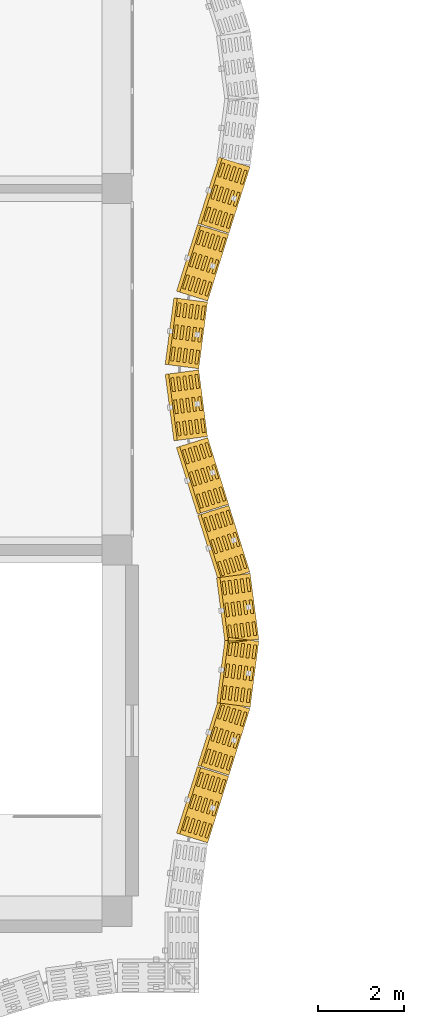
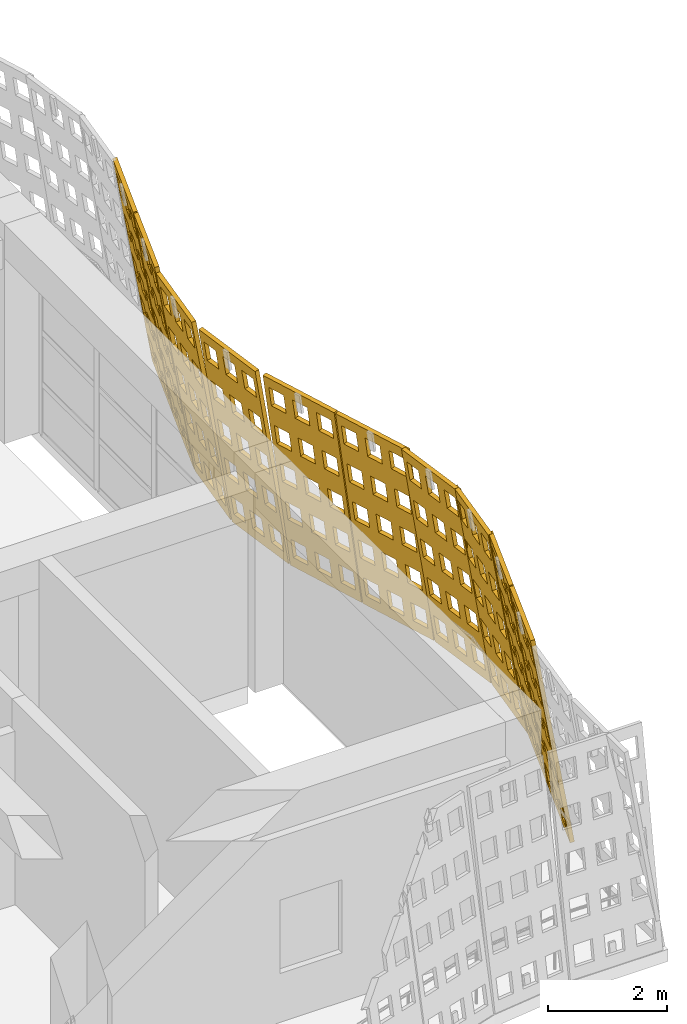
# One storey, part 77 of 85: 10 coverings.
"""IFC4 building model written with IfcOpenShell, lengths in metres."""

from ifc_helpers import new_model, si_unit, direction, frame, origin, place, context, subcontext, project, spatial, polyline, outline, extrude, material, layer, layer_set, type_object, element, save


model = new_model("IFC4")

# Units and contexts
model_context = context("Model", 3, precision=1e-05, world=origin(), true_north=direction((0.0, 1.0)))
body_context = subcontext(model_context, "Body", "Model", "MODEL_VIEW")
ifc_project = project(units=[si_unit("LENGTHUNIT", "METRE"), si_unit("AREAUNIT", "SQUARE_METRE"), si_unit("VOLUMEUNIT", "CUBIC_METRE"), si_unit("PLANEANGLEUNIT", "RADIAN"), si_unit("MASSUNIT", "GRAM", prefix="KILO")], contexts=[model_context])

# Site, building, storey
site_placement = place(None, origin())
site = spatial("IfcSite", under=ifc_project, at=site_placement, CompositionType="ELEMENT")
building_placement = place(site_placement, origin())
building = spatial("IfcBuilding", under=site, at=building_placement, Name="Rain Tree Exposition and Congress Centre", CompositionType="ELEMENT")
storey_placement = place(building_placement, frame((0.0, 0.0, 15.0)))
storey = spatial("IfcBuildingStorey", under=building, at=storey_placement, Name="L03", CompositionType="ELEMENT", Elevation=15.0)

# Coverings
ifc_material = material(Name="Perforated terracotta", Category="masonry")
ifc_layer = layer(ifc_material, 0.080078125)
ifc_layer_set = layer_set([ifc_layer], Name="Perforated terracotta")
covering_type = type_object("IfcCoveringType", Name="Terracotta screen 80", PredefinedType="CLADDING", material=ifc_layer_set)
covering_1_placement = place(storey_placement, frame((52.50341796875, 1.57568359375, 0.0126953125), z_axis=(-0.942029390639, 0.295717964052, -0.158529217842), x_axis=(-0.29950542383, -0.954094597562, 0.0)))
element("IfcCovering", 1, at=covering_1_placement, inside=storey, type_object=covering_type, Name="wing/screen/L03/036", PredefinedType="CLADDING", context=body_context, shape_type="SweptSolid", body=[
    extrude(outline(polyline([(-1.635986328125, 0.0), (-1.635986328125, 4.291259765625), (-0.014892578125, 4.291259765625), (-0.014892578125, 0.0), (-1.635986328125, 0.0)]), holes=[polyline([(-0.11767578125, 0.221435546875), (-0.11767578125, 0.63671875), (-0.45263671875, 0.63671875), (-0.45263671875, 0.221435546875), (-0.11767578125, 0.221435546875)]), polyline([(-0.11767578125, 1.07958984375), (-0.11767578125, 1.4951171875), (-0.45263671875, 1.4951171875), (-0.45263671875, 1.07958984375), (-0.11767578125, 1.07958984375)]), polyline([(-0.11767578125, 1.93798828125), (-0.11767578125, 2.353271484375), (-0.45263671875, 2.353271484375), (-0.45263671875, 1.93798828125), (-0.11767578125, 1.93798828125)]), polyline([(-0.11767578125, 2.796142578125), (-0.11767578125, 3.21142578125), (-0.45263671875, 3.21142578125), (-0.45263671875, 2.796142578125), (-0.11767578125, 2.796142578125)]), polyline([(-0.11767578125, 3.654541015625), (-0.11767578125, 4.06982421875), (-0.45263671875, 4.06982421875), (-0.45263671875, 3.654541015625), (-0.11767578125, 3.654541015625)]), polyline([(-0.657958984375, 0.221435546875), (-0.657958984375, 0.63671875), (-0.992919921875, 0.63671875), (-0.992919921875, 0.221435546875), (-0.657958984375, 0.221435546875)]), polyline([(-0.657958984375, 1.07958984375), (-0.657958984375, 1.4951171875), (-0.992919921875, 1.4951171875), (-0.992919921875, 1.07958984375), (-0.657958984375, 1.07958984375)]), polyline([(-0.657958984375, 1.93798828125), (-0.657958984375, 2.353271484375), (-0.992919921875, 2.353271484375), (-0.992919921875, 1.93798828125), (-0.657958984375, 1.93798828125)]), polyline([(-0.657958984375, 2.796142578125), (-0.657958984375, 3.21142578125), (-0.992919921875, 3.21142578125), (-0.992919921875, 2.796142578125), (-0.657958984375, 2.796142578125)]), polyline([(-0.657958984375, 3.654541015625), (-0.657958984375, 4.06982421875), (-0.992919921875, 4.06982421875), (-0.992919921875, 3.654541015625), (-0.657958984375, 3.654541015625)]), polyline([(-1.1982421875, 0.221435546875), (-1.1982421875, 0.63671875), (-1.533203125, 0.63671875), (-1.533203125, 0.221435546875), (-1.1982421875, 0.221435546875)]), polyline([(-1.1982421875, 1.07958984375), (-1.1982421875, 1.4951171875), (-1.533203125, 1.4951171875), (-1.533203125, 1.07958984375), (-1.1982421875, 1.07958984375)]), polyline([(-1.1982421875, 1.93798828125), (-1.1982421875, 2.353271484375), (-1.533203125, 2.353271484375), (-1.533203125, 1.93798828125), (-1.1982421875, 1.93798828125)]), polyline([(-1.1982421875, 2.796142578125), (-1.1982421875, 3.21142578125), (-1.533203125, 3.21142578125), (-1.533203125, 2.796142578125), (-1.1982421875, 2.796142578125)]), polyline([(-1.1982421875, 3.654541015625), (-1.1982421875, 4.06982421875), (-1.533203125, 4.06982421875), (-1.533203125, 3.654541015625), (-1.1982421875, 3.654541015625)])]), origin(), (0.0, 0.0, 1.0), 0.080078125),
])
covering_2_placement = place(storey_placement, frame((52.998291015625, 3.150634765625, 0.0126953125), z_axis=(-0.941684688936, 0.296569528658, -0.158985726703), x_axis=(-0.300390227601, -0.953816392794, 0.0)))
element("IfcCovering", 2, at=covering_2_placement, inside=storey, type_object=covering_type, Name="wing/screen/L03/037", PredefinedType="CLADDING", context=body_context, shape_type="SweptSolid", body=[
    extrude(outline(polyline([(-1.62890625, 0.0), (-1.62890625, 4.291259765625), (-0.014892578125, 4.291259765625), (-0.014892578125, 0.0), (-1.62890625, 0.0)]), holes=[polyline([(-0.1171875, 0.221435546875), (-0.1171875, 0.63671875), (-0.45068359375, 0.63671875), (-0.45068359375, 0.221435546875), (-0.1171875, 0.221435546875)]), polyline([(-0.1171875, 1.07958984375), (-0.1171875, 1.4951171875), (-0.45068359375, 1.4951171875), (-0.45068359375, 1.07958984375), (-0.1171875, 1.07958984375)]), polyline([(-0.1171875, 1.93798828125), (-0.1171875, 2.353271484375), (-0.45068359375, 2.353271484375), (-0.45068359375, 1.93798828125), (-0.1171875, 1.93798828125)]), polyline([(-0.1171875, 2.796142578125), (-0.1171875, 3.21142578125), (-0.45068359375, 3.21142578125), (-0.45068359375, 2.796142578125), (-0.1171875, 2.796142578125)]), polyline([(-0.1171875, 3.654541015625), (-0.1171875, 4.06982421875), (-0.45068359375, 4.06982421875), (-0.45068359375, 3.654541015625), (-0.1171875, 3.654541015625)]), polyline([(-0.6552734375, 0.221435546875), (-0.6552734375, 0.63671875), (-0.98876953125, 0.63671875), (-0.98876953125, 0.221435546875), (-0.6552734375, 0.221435546875)]), polyline([(-0.6552734375, 1.07958984375), (-0.6552734375, 1.4951171875), (-0.98876953125, 1.4951171875), (-0.98876953125, 1.07958984375), (-0.6552734375, 1.07958984375)]), polyline([(-0.6552734375, 1.93798828125), (-0.6552734375, 2.353271484375), (-0.98876953125, 2.353271484375), (-0.98876953125, 1.93798828125), (-0.6552734375, 1.93798828125)]), polyline([(-0.6552734375, 2.796142578125), (-0.6552734375, 3.21142578125), (-0.98876953125, 3.21142578125), (-0.98876953125, 2.796142578125), (-0.6552734375, 2.796142578125)]), polyline([(-0.6552734375, 3.654541015625), (-0.6552734375, 4.06982421875), (-0.98876953125, 4.06982421875), (-0.98876953125, 3.654541015625), (-0.6552734375, 3.654541015625)]), polyline([(-1.193115234375, 0.221435546875), (-1.193115234375, 0.63671875), (-1.526611328125, 0.63671875), (-1.526611328125, 0.221435546875), (-1.193115234375, 0.221435546875)]), polyline([(-1.193115234375, 1.07958984375), (-1.193115234375, 1.4951171875), (-1.526611328125, 1.4951171875), (-1.526611328125, 1.07958984375), (-1.193115234375, 1.07958984375)]), polyline([(-1.193115234375, 1.93798828125), (-1.193115234375, 2.353271484375), (-1.526611328125, 2.353271484375), (-1.526611328125, 1.93798828125), (-1.193115234375, 1.93798828125)]), polyline([(-1.193115234375, 2.796142578125), (-1.193115234375, 3.21142578125), (-1.526611328125, 3.21142578125), (-1.526611328125, 2.796142578125), (-1.193115234375, 2.796142578125)]), polyline([(-1.193115234375, 3.654541015625), (-1.193115234375, 4.06982421875), (-1.526611328125, 4.06982421875), (-1.526611328125, 3.654541015625), (-1.193115234375, 3.654541015625)])]), origin(), (0.0, 0.0, 1.0), 0.079833984375),
])
covering_3_placement = place(storey_placement, frame((53.4931640625, 4.725341796875, 0.01318359375), z_axis=(-0.978036007662, 0.127967328105, -0.16452942185), x_axis=(-0.129735338481, -0.991548658387, 0.0)))
element("IfcCovering", 3, at=covering_3_placement, inside=storey, type_object=covering_type, Name="wing/screen/L03/038", PredefinedType="CLADDING", context=body_context, shape_type="SweptSolid", body=[
    extrude(outline(polyline([(-1.56298828125, 0.0), (-1.56298828125, 4.295166015625), (-0.02197265625, 4.295166015625), (-0.02197265625, 0.0), (-1.56298828125, 0.0)]), holes=[polyline([(-0.11962890625, 0.2216796875), (-0.11962890625, 0.63720703125), (-0.43798828125, 0.63720703125), (-0.43798828125, 0.2216796875), (-0.11962890625, 0.2216796875)]), polyline([(-0.11962890625, 1.080810546875), (-0.11962890625, 1.496337890625), (-0.43798828125, 1.496337890625), (-0.43798828125, 1.080810546875), (-0.11962890625, 1.080810546875)]), polyline([(-0.11962890625, 1.939697265625), (-0.11962890625, 2.35546875), (-0.43798828125, 2.35546875), (-0.43798828125, 1.939697265625), (-0.11962890625, 1.939697265625)]), polyline([(-0.11962890625, 2.798583984375), (-0.11962890625, 3.21435546875), (-0.43798828125, 3.21435546875), (-0.43798828125, 2.798583984375), (-0.11962890625, 2.798583984375)]), polyline([(-0.11962890625, 3.65771484375), (-0.11962890625, 4.073486328125), (-0.43798828125, 4.073486328125), (-0.43798828125, 3.65771484375), (-0.11962890625, 3.65771484375)]), polyline([(-0.63330078125, 0.2216796875), (-0.63330078125, 0.63720703125), (-0.95166015625, 0.63720703125), (-0.95166015625, 0.2216796875), (-0.63330078125, 0.2216796875)]), polyline([(-0.63330078125, 1.080810546875), (-0.63330078125, 1.496337890625), (-0.95166015625, 1.496337890625), (-0.95166015625, 1.080810546875), (-0.63330078125, 1.080810546875)]), polyline([(-0.63330078125, 1.939697265625), (-0.63330078125, 2.35546875), (-0.95166015625, 2.35546875), (-0.95166015625, 1.939697265625), (-0.63330078125, 1.939697265625)]), polyline([(-0.63330078125, 2.798583984375), (-0.63330078125, 3.21435546875), (-0.95166015625, 3.21435546875), (-0.95166015625, 2.798583984375), (-0.63330078125, 2.798583984375)]), polyline([(-0.63330078125, 3.65771484375), (-0.63330078125, 4.073486328125), (-0.95166015625, 4.073486328125), (-0.95166015625, 3.65771484375), (-0.63330078125, 3.65771484375)]), polyline([(-1.146728515625, 0.2216796875), (-1.146728515625, 0.63720703125), (-1.46533203125, 0.63720703125), (-1.46533203125, 0.2216796875), (-1.146728515625, 0.2216796875)]), polyline([(-1.146728515625, 1.080810546875), (-1.146728515625, 1.496337890625), (-1.46533203125, 1.496337890625), (-1.46533203125, 1.080810546875), (-1.146728515625, 1.080810546875)]), polyline([(-1.146728515625, 1.939697265625), (-1.146728515625, 2.35546875), (-1.46533203125, 2.35546875), (-1.46533203125, 1.939697265625), (-1.146728515625, 1.939697265625)]), polyline([(-1.146728515625, 2.798583984375), (-1.146728515625, 3.21435546875), (-1.46533203125, 3.21435546875), (-1.46533203125, 2.798583984375), (-1.146728515625, 2.798583984375)]), polyline([(-1.146728515625, 3.65771484375), (-1.146728515625, 4.073486328125), (-1.46533203125, 4.073486328125), (-1.46533203125, 3.65771484375), (-1.146728515625, 3.65771484375)])]), origin(), (0.0, 0.0, 1.0), 0.080078125),
])
covering_4_placement = place(storey_placement, frame((53.697998046875, 6.2998046875, 0.01318359375), z_axis=(-0.9779030419, -0.128349774249, -0.165021138321), x_axis=(0.130133906157, -0.991496427865, 0.0)))
element("IfcCovering", 4, at=covering_4_placement, inside=storey, type_object=covering_type, Name="wing/screen/L03/039", PredefinedType="CLADDING", context=body_context, shape_type="SweptSolid", body=[
    extrude(outline(polyline([(-1.56640625, 0.0), (-1.56640625, 4.295166015625), (-0.025390625, 4.295166015625), (-0.025390625, 0.0), (-1.56640625, 0.0)]), holes=[polyline([(-0.123046875, 0.2216796875), (-0.123046875, 0.63720703125), (-0.44140625, 0.63720703125), (-0.44140625, 0.2216796875), (-0.123046875, 0.2216796875)]), polyline([(-0.123046875, 1.080810546875), (-0.123046875, 1.496337890625), (-0.44140625, 1.496337890625), (-0.44140625, 1.080810546875), (-0.123046875, 1.080810546875)]), polyline([(-0.123046875, 1.939697265625), (-0.123046875, 2.35546875), (-0.44140625, 2.35546875), (-0.44140625, 1.939697265625), (-0.123046875, 1.939697265625)]), polyline([(-0.123046875, 2.798583984375), (-0.123046875, 3.21435546875), (-0.44140625, 3.21435546875), (-0.44140625, 2.798583984375), (-0.123046875, 2.798583984375)]), polyline([(-0.123046875, 3.65771484375), (-0.123046875, 4.073486328125), (-0.44140625, 4.073486328125), (-0.44140625, 3.65771484375), (-0.123046875, 3.65771484375)]), polyline([(-0.63671875, 0.2216796875), (-0.63671875, 0.63720703125), (-0.955078125, 0.63720703125), (-0.955078125, 0.2216796875), (-0.63671875, 0.2216796875)]), polyline([(-0.63671875, 1.080810546875), (-0.63671875, 1.496337890625), (-0.955078125, 1.496337890625), (-0.955078125, 1.080810546875), (-0.63671875, 1.080810546875)]), polyline([(-0.63671875, 1.939697265625), (-0.63671875, 2.35546875), (-0.955078125, 2.35546875), (-0.955078125, 1.939697265625), (-0.63671875, 1.939697265625)]), polyline([(-0.63671875, 2.798583984375), (-0.63671875, 3.21435546875), (-0.955078125, 3.21435546875), (-0.955078125, 2.798583984375), (-0.63671875, 2.798583984375)]), polyline([(-0.63671875, 3.65771484375), (-0.63671875, 4.073486328125), (-0.955078125, 4.073486328125), (-0.955078125, 3.65771484375), (-0.63671875, 3.65771484375)]), polyline([(-1.150146484375, 0.2216796875), (-1.150146484375, 0.63720703125), (-1.46875, 0.63720703125), (-1.46875, 0.2216796875), (-1.150146484375, 0.2216796875)]), polyline([(-1.150146484375, 1.080810546875), (-1.150146484375, 1.496337890625), (-1.46875, 1.496337890625), (-1.46875, 1.080810546875), (-1.150146484375, 1.080810546875)]), polyline([(-1.150146484375, 1.939697265625), (-1.150146484375, 2.35546875), (-1.46875, 2.35546875), (-1.46875, 1.939697265625), (-1.150146484375, 1.939697265625)]), polyline([(-1.150146484375, 2.798583984375), (-1.150146484375, 3.21435546875), (-1.46875, 3.21435546875), (-1.46875, 2.798583984375), (-1.150146484375, 2.798583984375)]), polyline([(-1.150146484375, 3.65771484375), (-1.150146484375, 4.073486328125), (-1.46875, 4.073486328125), (-1.46875, 3.65771484375), (-1.150146484375, 3.65771484375)])]), origin(), (0.0, 0.0, 1.0), 0.079833984375),
])
covering_5_placement = place(storey_placement, frame((53.493408203125, 7.87451171875, 0.0126953125), z_axis=(-0.941176896939, -0.298496232686, -0.158385756119), x_axis=(0.302312226207, -0.953208958144, 0.0)))
element("IfcCovering", 5, at=covering_5_placement, inside=storey, type_object=covering_type, Name="wing/screen/L03/040", PredefinedType="CLADDING", context=body_context, shape_type="SweptSolid", body=[
    extrude(outline(polyline([(-1.635986328125, 0.0), (-1.635986328125, 4.291259765625), (-0.02197265625, 4.291259765625), (-0.02197265625, 0.0), (-1.635986328125, 0.0)]), holes=[polyline([(-0.124267578125, 0.221435546875), (-0.124267578125, 0.63671875), (-0.457763671875, 0.63671875), (-0.457763671875, 0.221435546875), (-0.124267578125, 0.221435546875)]), polyline([(-0.124267578125, 1.07958984375), (-0.124267578125, 1.4951171875), (-0.457763671875, 1.4951171875), (-0.457763671875, 1.07958984375), (-0.124267578125, 1.07958984375)]), polyline([(-0.124267578125, 1.93798828125), (-0.124267578125, 2.353271484375), (-0.457763671875, 2.353271484375), (-0.457763671875, 1.93798828125), (-0.124267578125, 1.93798828125)]), polyline([(-0.124267578125, 2.796142578125), (-0.124267578125, 3.21142578125), (-0.457763671875, 3.21142578125), (-0.457763671875, 2.796142578125), (-0.124267578125, 2.796142578125)]), polyline([(-0.124267578125, 3.654541015625), (-0.124267578125, 4.06982421875), (-0.457763671875, 4.06982421875), (-0.457763671875, 3.654541015625), (-0.124267578125, 3.654541015625)]), polyline([(-0.662109375, 0.221435546875), (-0.662109375, 0.63671875), (-0.995849609375, 0.63671875), (-0.995849609375, 0.221435546875), (-0.662109375, 0.221435546875)]), polyline([(-0.662109375, 1.07958984375), (-0.662109375, 1.4951171875), (-0.995849609375, 1.4951171875), (-0.995849609375, 1.07958984375), (-0.662109375, 1.07958984375)]), polyline([(-0.662109375, 1.93798828125), (-0.662109375, 2.353271484375), (-0.995849609375, 2.353271484375), (-0.995849609375, 1.93798828125), (-0.662109375, 1.93798828125)]), polyline([(-0.662109375, 2.796142578125), (-0.662109375, 3.21142578125), (-0.995849609375, 3.21142578125), (-0.995849609375, 2.796142578125), (-0.662109375, 2.796142578125)]), polyline([(-0.662109375, 3.654541015625), (-0.662109375, 4.06982421875), (-0.995849609375, 4.06982421875), (-0.995849609375, 3.654541015625), (-0.662109375, 3.654541015625)]), polyline([(-1.2001953125, 0.221435546875), (-1.2001953125, 0.63671875), (-1.53369140625, 0.63671875), (-1.53369140625, 0.221435546875), (-1.2001953125, 0.221435546875)]), polyline([(-1.2001953125, 1.07958984375), (-1.2001953125, 1.4951171875), (-1.53369140625, 1.4951171875), (-1.53369140625, 1.07958984375), (-1.2001953125, 1.07958984375)]), polyline([(-1.2001953125, 1.93798828125), (-1.2001953125, 2.353271484375), (-1.53369140625, 2.353271484375), (-1.53369140625, 1.93798828125), (-1.2001953125, 1.93798828125)]), polyline([(-1.2001953125, 2.796142578125), (-1.2001953125, 3.21142578125), (-1.53369140625, 3.21142578125), (-1.53369140625, 2.796142578125), (-1.2001953125, 2.796142578125)]), polyline([(-1.2001953125, 3.654541015625), (-1.2001953125, 4.06982421875), (-1.53369140625, 4.06982421875), (-1.53369140625, 3.654541015625), (-1.2001953125, 3.654541015625)])]), origin(), (0.0, 0.0, 1.0), 0.080078125),
])
covering_6_placement = place(storey_placement, frame((52.998291015625, 9.449462890625, 0.0126953125), z_axis=(-0.941684688936, -0.296569528658, -0.158985726703), x_axis=(0.300390227601, -0.953816392794, 0.0)))
element("IfcCovering", 6, at=covering_6_placement, inside=storey, type_object=covering_type, Name="wing/screen/L03/041", PredefinedType="CLADDING", context=body_context, shape_type="SweptSolid", body=[
    extrude(outline(polyline([(-1.635986328125, 0.0), (-1.635986328125, 4.291259765625), (-0.014892578125, 4.291259765625), (-0.014892578125, 0.0), (-1.635986328125, 0.0)]), holes=[polyline([(-0.11767578125, 0.221435546875), (-0.11767578125, 0.63671875), (-0.45263671875, 0.63671875), (-0.45263671875, 0.221435546875), (-0.11767578125, 0.221435546875)]), polyline([(-0.11767578125, 1.07958984375), (-0.11767578125, 1.4951171875), (-0.45263671875, 1.4951171875), (-0.45263671875, 1.07958984375), (-0.11767578125, 1.07958984375)]), polyline([(-0.11767578125, 1.93798828125), (-0.11767578125, 2.353271484375), (-0.45263671875, 2.353271484375), (-0.45263671875, 1.93798828125), (-0.11767578125, 1.93798828125)]), polyline([(-0.11767578125, 2.796142578125), (-0.11767578125, 3.21142578125), (-0.45263671875, 3.21142578125), (-0.45263671875, 2.796142578125), (-0.11767578125, 2.796142578125)]), polyline([(-0.11767578125, 3.654541015625), (-0.11767578125, 4.06982421875), (-0.45263671875, 4.06982421875), (-0.45263671875, 3.654541015625), (-0.11767578125, 3.654541015625)]), polyline([(-0.657958984375, 0.221435546875), (-0.657958984375, 0.63671875), (-0.992919921875, 0.63671875), (-0.992919921875, 0.221435546875), (-0.657958984375, 0.221435546875)]), polyline([(-0.657958984375, 1.07958984375), (-0.657958984375, 1.4951171875), (-0.992919921875, 1.4951171875), (-0.992919921875, 1.07958984375), (-0.657958984375, 1.07958984375)]), polyline([(-0.657958984375, 1.93798828125), (-0.657958984375, 2.353271484375), (-0.992919921875, 2.353271484375), (-0.992919921875, 1.93798828125), (-0.657958984375, 1.93798828125)]), polyline([(-0.657958984375, 2.796142578125), (-0.657958984375, 3.21142578125), (-0.992919921875, 3.21142578125), (-0.992919921875, 2.796142578125), (-0.657958984375, 2.796142578125)]), polyline([(-0.657958984375, 3.654541015625), (-0.657958984375, 4.06982421875), (-0.992919921875, 4.06982421875), (-0.992919921875, 3.654541015625), (-0.657958984375, 3.654541015625)]), polyline([(-1.1982421875, 0.221435546875), (-1.1982421875, 0.63671875), (-1.533203125, 0.63671875), (-1.533203125, 0.221435546875), (-1.1982421875, 0.221435546875)]), polyline([(-1.1982421875, 1.07958984375), (-1.1982421875, 1.4951171875), (-1.533203125, 1.4951171875), (-1.533203125, 1.07958984375), (-1.1982421875, 1.07958984375)]), polyline([(-1.1982421875, 1.93798828125), (-1.1982421875, 2.353271484375), (-1.533203125, 2.353271484375), (-1.533203125, 1.93798828125), (-1.1982421875, 1.93798828125)]), polyline([(-1.1982421875, 2.796142578125), (-1.1982421875, 3.21142578125), (-1.533203125, 3.21142578125), (-1.533203125, 2.796142578125), (-1.1982421875, 2.796142578125)]), polyline([(-1.1982421875, 3.654541015625), (-1.1982421875, 4.06982421875), (-1.533203125, 4.06982421875), (-1.533203125, 3.654541015625), (-1.1982421875, 3.654541015625)])]), origin(), (0.0, 0.0, 1.0), 0.079833984375),
])
covering_7_placement = place(storey_placement, frame((52.503173828125, 11.024658203125, 0.01318359375), z_axis=(-0.978036007662, -0.127967328105, -0.16452942185), x_axis=(0.129735338481, -0.991548658387, 0.0)))
element("IfcCovering", 7, at=covering_7_placement, inside=storey, type_object=covering_type, Name="wing/screen/L03/042", PredefinedType="CLADDING", context=body_context, shape_type="SweptSolid", body=[
    extrude(outline(polyline([(-1.5732421875, 0.0), (-1.5732421875, 4.295166015625), (-0.014892578125, 4.295166015625), (-0.014892578125, 0.0), (-1.5732421875, 0.0)]), holes=[polyline([(-0.11376953125, 0.2216796875), (-0.11376953125, 0.63720703125), (-0.435791015625, 0.63720703125), (-0.435791015625, 0.2216796875), (-0.11376953125, 0.2216796875)]), polyline([(-0.11376953125, 1.080810546875), (-0.11376953125, 1.496337890625), (-0.435791015625, 1.496337890625), (-0.435791015625, 1.080810546875), (-0.11376953125, 1.080810546875)]), polyline([(-0.11376953125, 1.939697265625), (-0.11376953125, 2.35546875), (-0.435791015625, 2.35546875), (-0.435791015625, 1.939697265625), (-0.11376953125, 1.939697265625)]), polyline([(-0.11376953125, 2.798583984375), (-0.11376953125, 3.21435546875), (-0.435791015625, 3.21435546875), (-0.435791015625, 2.798583984375), (-0.11376953125, 2.798583984375)]), polyline([(-0.11376953125, 3.65771484375), (-0.11376953125, 4.073486328125), (-0.435791015625, 4.073486328125), (-0.435791015625, 3.65771484375), (-0.11376953125, 3.65771484375)]), polyline([(-0.633056640625, 0.2216796875), (-0.633056640625, 0.63720703125), (-0.955078125, 0.63720703125), (-0.955078125, 0.2216796875), (-0.633056640625, 0.2216796875)]), polyline([(-0.633056640625, 1.080810546875), (-0.633056640625, 1.496337890625), (-0.955078125, 1.496337890625), (-0.955078125, 1.080810546875), (-0.633056640625, 1.080810546875)]), polyline([(-0.633056640625, 1.939697265625), (-0.633056640625, 2.35546875), (-0.955078125, 2.35546875), (-0.955078125, 1.939697265625), (-0.633056640625, 1.939697265625)]), polyline([(-0.633056640625, 2.798583984375), (-0.633056640625, 3.21435546875), (-0.955078125, 3.21435546875), (-0.955078125, 2.798583984375), (-0.633056640625, 2.798583984375)]), polyline([(-0.633056640625, 3.65771484375), (-0.633056640625, 4.073486328125), (-0.955078125, 4.073486328125), (-0.955078125, 3.65771484375), (-0.633056640625, 3.65771484375)]), polyline([(-1.152587890625, 0.2216796875), (-1.152587890625, 0.63720703125), (-1.474609375, 0.63720703125), (-1.474609375, 0.2216796875), (-1.152587890625, 0.2216796875)]), polyline([(-1.152587890625, 1.080810546875), (-1.152587890625, 1.496337890625), (-1.474609375, 1.496337890625), (-1.474609375, 1.080810546875), (-1.152587890625, 1.080810546875)]), polyline([(-1.152587890625, 1.939697265625), (-1.152587890625, 2.35546875), (-1.474609375, 2.35546875), (-1.474609375, 1.939697265625), (-1.152587890625, 1.939697265625)]), polyline([(-1.152587890625, 2.798583984375), (-1.152587890625, 3.21435546875), (-1.474609375, 3.21435546875), (-1.474609375, 2.798583984375), (-1.152587890625, 2.798583984375)]), polyline([(-1.152587890625, 3.65771484375), (-1.152587890625, 4.073486328125), (-1.474609375, 4.073486328125), (-1.474609375, 3.65771484375), (-1.152587890625, 3.65771484375)])]), origin(), (0.0, 0.0, 1.0), 0.080078125),
])
covering_8_placement = place(storey_placement, frame((52.298095703125, 12.600341796875, 0.01318359375), z_axis=(-0.9779030419, 0.128349774249, -0.165021138321), x_axis=(-0.130133906157, -0.991496427865, 0.0)))
element("IfcCovering", 8, at=covering_8_placement, inside=storey, type_object=covering_type, Name="wing/screen/L03/043", PredefinedType="CLADDING", context=body_context, shape_type="SweptSolid", body=[
    extrude(outline(polyline([(-1.5732421875, 0.0), (-1.5732421875, 4.295166015625), (-0.014892578125, 4.295166015625), (-0.014892578125, 0.0), (-1.5732421875, 0.0)]), holes=[polyline([(-0.11376953125, 0.2216796875), (-0.11376953125, 0.63720703125), (-0.435791015625, 0.63720703125), (-0.435791015625, 0.2216796875), (-0.11376953125, 0.2216796875)]), polyline([(-0.11376953125, 1.080810546875), (-0.11376953125, 1.496337890625), (-0.435791015625, 1.496337890625), (-0.435791015625, 1.080810546875), (-0.11376953125, 1.080810546875)]), polyline([(-0.11376953125, 1.939697265625), (-0.11376953125, 2.35546875), (-0.435791015625, 2.35546875), (-0.435791015625, 1.939697265625), (-0.11376953125, 1.939697265625)]), polyline([(-0.11376953125, 2.798583984375), (-0.11376953125, 3.21435546875), (-0.435791015625, 3.21435546875), (-0.435791015625, 2.798583984375), (-0.11376953125, 2.798583984375)]), polyline([(-0.11376953125, 3.65771484375), (-0.11376953125, 4.073486328125), (-0.435791015625, 4.073486328125), (-0.435791015625, 3.65771484375), (-0.11376953125, 3.65771484375)]), polyline([(-0.633056640625, 0.2216796875), (-0.633056640625, 0.63720703125), (-0.955078125, 0.63720703125), (-0.955078125, 0.2216796875), (-0.633056640625, 0.2216796875)]), polyline([(-0.633056640625, 1.080810546875), (-0.633056640625, 1.496337890625), (-0.955078125, 1.496337890625), (-0.955078125, 1.080810546875), (-0.633056640625, 1.080810546875)]), polyline([(-0.633056640625, 1.939697265625), (-0.633056640625, 2.35546875), (-0.955078125, 2.35546875), (-0.955078125, 1.939697265625), (-0.633056640625, 1.939697265625)]), polyline([(-0.633056640625, 2.798583984375), (-0.633056640625, 3.21435546875), (-0.955078125, 3.21435546875), (-0.955078125, 2.798583984375), (-0.633056640625, 2.798583984375)]), polyline([(-0.633056640625, 3.65771484375), (-0.633056640625, 4.073486328125), (-0.955078125, 4.073486328125), (-0.955078125, 3.65771484375), (-0.633056640625, 3.65771484375)]), polyline([(-1.152587890625, 0.2216796875), (-1.152587890625, 0.63720703125), (-1.474609375, 0.63720703125), (-1.474609375, 0.2216796875), (-1.152587890625, 0.2216796875)]), polyline([(-1.152587890625, 1.080810546875), (-1.152587890625, 1.496337890625), (-1.474609375, 1.496337890625), (-1.474609375, 1.080810546875), (-1.152587890625, 1.080810546875)]), polyline([(-1.152587890625, 1.939697265625), (-1.152587890625, 2.35546875), (-1.474609375, 2.35546875), (-1.474609375, 1.939697265625), (-1.152587890625, 1.939697265625)]), polyline([(-1.152587890625, 2.798583984375), (-1.152587890625, 3.21435546875), (-1.474609375, 3.21435546875), (-1.474609375, 2.798583984375), (-1.152587890625, 2.798583984375)]), polyline([(-1.152587890625, 3.65771484375), (-1.152587890625, 4.073486328125), (-1.474609375, 4.073486328125), (-1.474609375, 3.65771484375), (-1.152587890625, 3.65771484375)])]), origin(), (0.0, 0.0, 1.0), 0.079833984375),
])
covering_9_placement = place(storey_placement, frame((52.50341796875, 14.175537109375, 0.0126953125), z_axis=(-0.942029390639, 0.295717964052, -0.158529217842), x_axis=(-0.29950542383, -0.954094597562, 0.0)))
element("IfcCovering", 9, at=covering_9_placement, inside=storey, type_object=covering_type, Name="wing/screen/L03/044", PredefinedType="CLADDING", context=body_context, shape_type="SweptSolid", body=[
    extrude(outline(polyline([(-1.635986328125, 0.0), (-1.635986328125, 4.291259765625), (-0.014892578125, 4.291259765625), (-0.014892578125, 0.0), (-1.635986328125, 0.0)]), holes=[polyline([(-0.11767578125, 0.221435546875), (-0.11767578125, 0.63671875), (-0.45263671875, 0.63671875), (-0.45263671875, 0.221435546875), (-0.11767578125, 0.221435546875)]), polyline([(-0.11767578125, 1.07958984375), (-0.11767578125, 1.4951171875), (-0.45263671875, 1.4951171875), (-0.45263671875, 1.07958984375), (-0.11767578125, 1.07958984375)]), polyline([(-0.11767578125, 1.93798828125), (-0.11767578125, 2.353271484375), (-0.45263671875, 2.353271484375), (-0.45263671875, 1.93798828125), (-0.11767578125, 1.93798828125)]), polyline([(-0.11767578125, 2.796142578125), (-0.11767578125, 3.21142578125), (-0.45263671875, 3.21142578125), (-0.45263671875, 2.796142578125), (-0.11767578125, 2.796142578125)]), polyline([(-0.11767578125, 3.654541015625), (-0.11767578125, 4.06982421875), (-0.45263671875, 4.06982421875), (-0.45263671875, 3.654541015625), (-0.11767578125, 3.654541015625)]), polyline([(-0.657958984375, 0.221435546875), (-0.657958984375, 0.63671875), (-0.992919921875, 0.63671875), (-0.992919921875, 0.221435546875), (-0.657958984375, 0.221435546875)]), polyline([(-0.657958984375, 1.07958984375), (-0.657958984375, 1.4951171875), (-0.992919921875, 1.4951171875), (-0.992919921875, 1.07958984375), (-0.657958984375, 1.07958984375)]), polyline([(-0.657958984375, 1.93798828125), (-0.657958984375, 2.353271484375), (-0.992919921875, 2.353271484375), (-0.992919921875, 1.93798828125), (-0.657958984375, 1.93798828125)]), polyline([(-0.657958984375, 2.796142578125), (-0.657958984375, 3.21142578125), (-0.992919921875, 3.21142578125), (-0.992919921875, 2.796142578125), (-0.657958984375, 2.796142578125)]), polyline([(-0.657958984375, 3.654541015625), (-0.657958984375, 4.06982421875), (-0.992919921875, 4.06982421875), (-0.992919921875, 3.654541015625), (-0.657958984375, 3.654541015625)]), polyline([(-1.1982421875, 0.221435546875), (-1.1982421875, 0.63671875), (-1.533203125, 0.63671875), (-1.533203125, 0.221435546875), (-1.1982421875, 0.221435546875)]), polyline([(-1.1982421875, 1.07958984375), (-1.1982421875, 1.4951171875), (-1.533203125, 1.4951171875), (-1.533203125, 1.07958984375), (-1.1982421875, 1.07958984375)]), polyline([(-1.1982421875, 1.93798828125), (-1.1982421875, 2.353271484375), (-1.533203125, 2.353271484375), (-1.533203125, 1.93798828125), (-1.1982421875, 1.93798828125)]), polyline([(-1.1982421875, 2.796142578125), (-1.1982421875, 3.21142578125), (-1.533203125, 3.21142578125), (-1.533203125, 2.796142578125), (-1.1982421875, 2.796142578125)]), polyline([(-1.1982421875, 3.654541015625), (-1.1982421875, 4.06982421875), (-1.533203125, 4.06982421875), (-1.533203125, 3.654541015625), (-1.1982421875, 3.654541015625)])]), origin(), (0.0, 0.0, 1.0), 0.080078125),
])
covering_10_placement = place(storey_placement, frame((52.998291015625, 15.75048828125, 0.0126953125), z_axis=(-0.940827598844, 0.299354235996, -0.158841023181), x_axis=(-0.303203657277, -0.952925780013, 0.0)))
element("IfcCovering", 10, at=covering_10_placement, inside=storey, type_object=covering_type, Name="wing/screen/L03/045", PredefinedType="CLADDING", context=body_context, shape_type="SweptSolid", body=[
    extrude(outline(polyline([(-1.62890625, 0.0), (-1.62890625, 4.291259765625), (-0.014892578125, 4.291259765625), (-0.014892578125, 0.0), (-1.62890625, 0.0)]), holes=[polyline([(-0.1171875, 0.221435546875), (-0.1171875, 0.63671875), (-0.45068359375, 0.63671875), (-0.45068359375, 0.221435546875), (-0.1171875, 0.221435546875)]), polyline([(-0.1171875, 1.07958984375), (-0.1171875, 1.4951171875), (-0.45068359375, 1.4951171875), (-0.45068359375, 1.07958984375), (-0.1171875, 1.07958984375)]), polyline([(-0.1171875, 1.93798828125), (-0.1171875, 2.353271484375), (-0.45068359375, 2.353271484375), (-0.45068359375, 1.93798828125), (-0.1171875, 1.93798828125)]), polyline([(-0.1171875, 2.796142578125), (-0.1171875, 3.21142578125), (-0.45068359375, 3.21142578125), (-0.45068359375, 2.796142578125), (-0.1171875, 2.796142578125)]), polyline([(-0.1171875, 3.654541015625), (-0.1171875, 4.06982421875), (-0.45068359375, 4.06982421875), (-0.45068359375, 3.654541015625), (-0.1171875, 3.654541015625)]), polyline([(-0.6552734375, 0.221435546875), (-0.6552734375, 0.63671875), (-0.98876953125, 0.63671875), (-0.98876953125, 0.221435546875), (-0.6552734375, 0.221435546875)]), polyline([(-0.6552734375, 1.07958984375), (-0.6552734375, 1.4951171875), (-0.98876953125, 1.4951171875), (-0.98876953125, 1.07958984375), (-0.6552734375, 1.07958984375)]), polyline([(-0.6552734375, 1.93798828125), (-0.6552734375, 2.353271484375), (-0.98876953125, 2.353271484375), (-0.98876953125, 1.93798828125), (-0.6552734375, 1.93798828125)]), polyline([(-0.6552734375, 2.796142578125), (-0.6552734375, 3.21142578125), (-0.98876953125, 3.21142578125), (-0.98876953125, 2.796142578125), (-0.6552734375, 2.796142578125)]), polyline([(-0.6552734375, 3.654541015625), (-0.6552734375, 4.06982421875), (-0.98876953125, 4.06982421875), (-0.98876953125, 3.654541015625), (-0.6552734375, 3.654541015625)]), polyline([(-1.193115234375, 0.221435546875), (-1.193115234375, 0.63671875), (-1.526611328125, 0.63671875), (-1.526611328125, 0.221435546875), (-1.193115234375, 0.221435546875)]), polyline([(-1.193115234375, 1.07958984375), (-1.193115234375, 1.4951171875), (-1.526611328125, 1.4951171875), (-1.526611328125, 1.07958984375), (-1.193115234375, 1.07958984375)]), polyline([(-1.193115234375, 1.93798828125), (-1.193115234375, 2.353271484375), (-1.526611328125, 2.353271484375), (-1.526611328125, 1.93798828125), (-1.193115234375, 1.93798828125)]), polyline([(-1.193115234375, 2.796142578125), (-1.193115234375, 3.21142578125), (-1.526611328125, 3.21142578125), (-1.526611328125, 2.796142578125), (-1.193115234375, 2.796142578125)]), polyline([(-1.193115234375, 3.654541015625), (-1.193115234375, 4.06982421875), (-1.526611328125, 4.06982421875), (-1.526611328125, 3.654541015625), (-1.193115234375, 3.654541015625)])]), origin(), (0.0, 0.0, 1.0), 0.079833984375),
])

save(model, "model.ifc")
